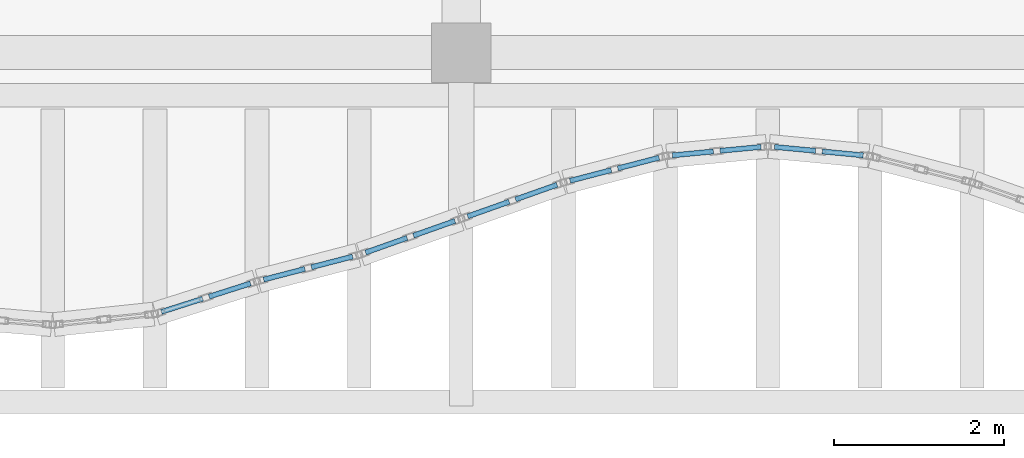
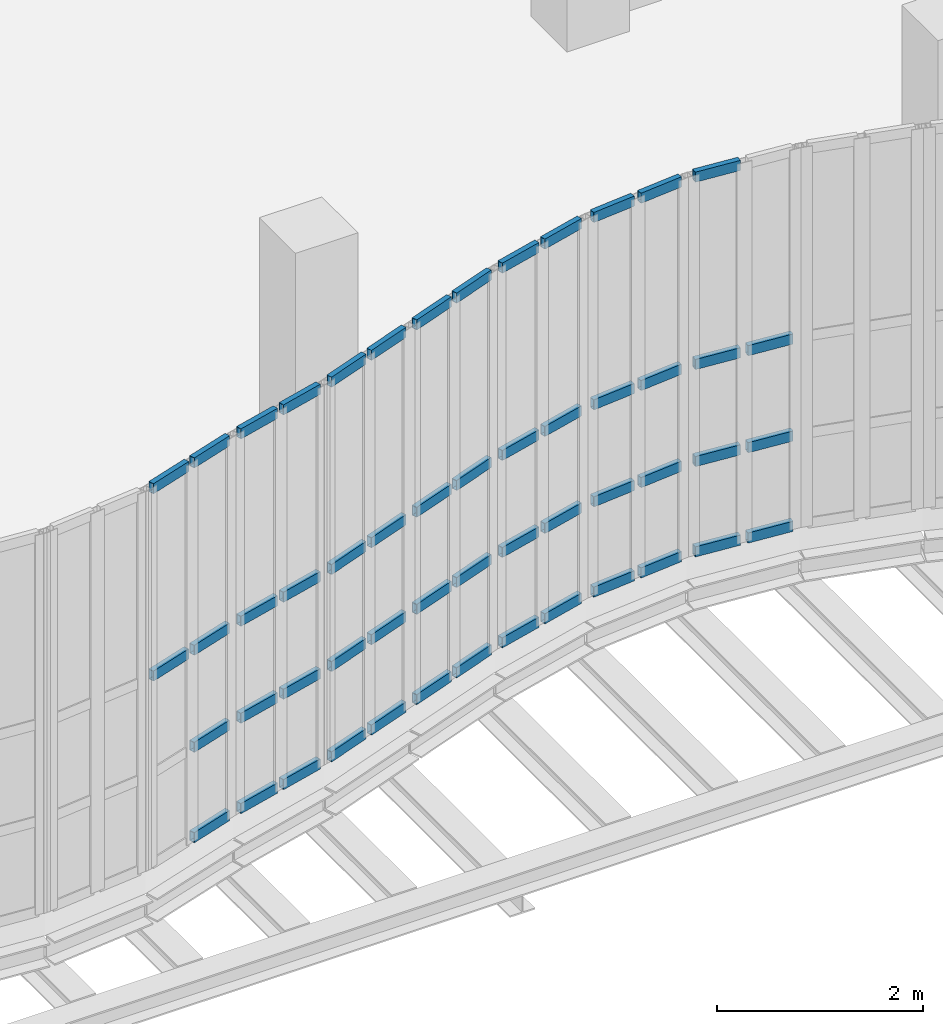
# One storey, part 60 of 108: 53 members, 7 elements without a shape of their own.
"""IFC4 building model written with IfcOpenShell, lengths in metres."""

from ifc_helpers import new_model, si_unit, direction, frame, origin, origin_2d, place, context, subcontext, project, spatial, hollow_rectangle, extrude, material, layer, layer_set, material_profile, profile_set, type_object, element, aggregate, save


model = new_model("IFC4")

# Units and contexts
model_context = context("Model", 3, precision=1e-05, world=origin(), true_north=direction((0.0, 1.0)))
body_context = subcontext(model_context, "Body", "Model", "MODEL_VIEW")
ifc_project = project(units=[si_unit("LENGTHUNIT", "METRE"), si_unit("AREAUNIT", "SQUARE_METRE"), si_unit("VOLUMEUNIT", "CUBIC_METRE"), si_unit("PLANEANGLEUNIT", "RADIAN"), si_unit("MASSUNIT", "GRAM", prefix="KILO"), si_unit("THERMODYNAMICTEMPERATUREUNIT", "KELVIN"), si_unit("POWERUNIT", "WATT")], contexts=[model_context])

# Site, building, storey
site_placement = place(None, origin())
site = spatial("IfcSite", under=ifc_project, at=site_placement, CompositionType="ELEMENT")
building_placement = place(site_placement, origin())
building = spatial("IfcBuilding", under=site, at=building_placement, Name="Kaldorven Railside Theatre", CompositionType="ELEMENT")
storey_placement = place(building_placement, frame((0.0, 0.0, 5.39990234375)))
storey = spatial("IfcBuildingStorey", under=building, at=storey_placement, Name="L01", CompositionType="ELEMENT", Elevation=5.39990234375)

# Curtain wall, members
ifc_material_1 = material(Name="Low-E laminated solar-control glass", Category="glass")
ifc_layer_1 = layer(ifc_material_1, 0.159912109375, Name="Low-E laminated solar-control glass")
ifc_layer_set_1 = layer_set([ifc_layer_1], Name="Low-E laminated solar-control glass")
curtain_wall_type_1 = type_object("IfcCurtainWallType", Name="CWT-04", PredefinedType="USERDEFINED", material=ifc_layer_set_1)
curtain_wall_1_placement = place(storey_placement, origin())
curtain_wall_1 = element("IfcCurtainWall", 1, at=curtain_wall_1_placement, inside=storey, type_object=curtain_wall_type_1, Name="Sinusoidal Fluted Curtain Wall CW-L01-S46", ObjectType="FLUTED GLAZING", PredefinedType="USERDEFINED")
ifc_material_2 = material(Name="Anodised bronze aluminium", Category="aluminium")
ifc_material_profile = material_profile(ifc_material_2, hollow_rectangle(XDim=0.06005859375, YDim=0.1201171875, WallThickness=0.0048828125, at=origin_2d()), Name="RHS 120x60x5")
ifc_profile_set = profile_set([ifc_material_profile], Name="Anodised bronze aluminium")
member_type = type_object("IfcMemberType", Name="CWT-120", PredefinedType="USERDEFINED", material=ifc_profile_set)
member_1_placement = place(storey_placement, frame((90.876220703125, 16.154541015625, 2.25), z_axis=(0.952490847755, 0.304567209237, 0.0), x_axis=(-0.304567209237, 0.952490847755, 0.0)))
member_1 = element("IfcMember", 2, at=member_1_placement, type_object=member_type, Name="CW-L01-S46 transom 1.3", ObjectType="TRANSOM", PredefinedType="USERDEFINED", context=body_context, shape_type="SweptSolid", body=[
    extrude(hollow_rectangle(XDim=0.06005859375, YDim=0.1201171875, WallThickness=0.0048828125, at=origin_2d()), origin(), (0.0, 0.0, 1.0), 0.509765625),
])
member_2_placement = place(storey_placement, frame((90.876220703125, 16.154541015625, 4.47021484375), z_axis=(0.952490847755, 0.304567209237, 0.0), x_axis=(-0.304567209237, 0.952490847755, 0.0)))
member_2 = element("IfcMember", 3, at=member_2_placement, type_object=member_type, Name="CW-L01-S46 transom 1.4", ObjectType="TRANSOM", PredefinedType="USERDEFINED", context=body_context, shape_type="SweptSolid", body=[
    extrude(hollow_rectangle(XDim=0.06005859375, YDim=0.1201171875, WallThickness=0.0048828125, at=origin_2d()), origin(), (0.0, 0.0, 1.0), 0.509765625),
])
member_3_placement = place(storey_placement, frame((91.43798828125, 16.334228515625, 0.030029296875), z_axis=(0.952535238788, 0.304428347673, 0.0), x_axis=(-0.304428347673, 0.952535238788, 0.0)))
member_3 = element("IfcMember", 4, at=member_3_placement, type_object=member_type, Name="CW-L01-S46 transom 2.1", ObjectType="TRANSOM", PredefinedType="USERDEFINED", context=body_context, shape_type="SweptSolid", body=[
    extrude(hollow_rectangle(XDim=0.06005859375, YDim=0.1201171875, WallThickness=0.0048828125, at=origin_2d()), origin(), (0.0, 0.0, 1.0), 0.510009765625),
])
member_4_placement = place(storey_placement, frame((91.43798828125, 16.334228515625, 1.10009765625), z_axis=(0.952535238788, 0.304428347673, 0.0), x_axis=(-0.304428347673, 0.952535238788, 0.0)))
member_4 = element("IfcMember", 5, at=member_4_placement, type_object=member_type, Name="CW-L01-S46 transom 2.2", ObjectType="TRANSOM", PredefinedType="USERDEFINED", context=body_context, shape_type="SweptSolid", body=[
    extrude(hollow_rectangle(XDim=0.06005859375, YDim=0.1201171875, WallThickness=0.0048828125, at=origin_2d()), origin(), (0.0, 0.0, 1.0), 0.510009765625),
])
member_5_placement = place(storey_placement, frame((91.43798828125, 16.334228515625, 2.25), z_axis=(0.952535238788, 0.304428347673, 0.0), x_axis=(-0.304428347673, 0.952535238788, 0.0)))
member_5 = element("IfcMember", 6, at=member_5_placement, type_object=member_type, Name="CW-L01-S46 transom 2.3", ObjectType="TRANSOM", PredefinedType="USERDEFINED", context=body_context, shape_type="SweptSolid", body=[
    extrude(hollow_rectangle(XDim=0.06005859375, YDim=0.1201171875, WallThickness=0.0048828125, at=origin_2d()), origin(), (0.0, 0.0, 1.0), 0.510009765625),
])
member_6_placement = place(storey_placement, frame((91.43798828125, 16.334228515625, 4.47021484375), z_axis=(0.952535238788, 0.304428347673, 0.0), x_axis=(-0.304428347673, 0.952535238788, 0.0)))
member_6 = element("IfcMember", 7, at=member_6_placement, type_object=member_type, Name="CW-L01-S46 transom 2.4", ObjectType="TRANSOM", PredefinedType="USERDEFINED", context=body_context, shape_type="SweptSolid", body=[
    extrude(hollow_rectangle(XDim=0.06005859375, YDim=0.1201171875, WallThickness=0.0048828125, at=origin_2d()), origin(), (0.0, 0.0, 1.0), 0.510009765625),
])
aggregate(curtain_wall_1, [member_1, member_2, member_3, member_4, member_5, member_6])

ifc_layer_2 = layer(ifc_material_1, 0.159912109375, Name="Low-E laminated solar-control glass")
ifc_layer_set_2 = layer_set([ifc_layer_2], Name="Low-E laminated solar-control glass")
curtain_wall_type_2 = type_object("IfcCurtainWallType", Name="CWT-02", PredefinedType="USERDEFINED", material=ifc_layer_set_2)
curtain_wall_2_placement = place(storey_placement, origin())
curtain_wall_2 = element("IfcCurtainWall", 8, at=curtain_wall_2_placement, inside=storey, type_object=curtain_wall_type_2, Name="Sinusoidal Fluted Curtain Wall CW-L01-S47", ObjectType="FLUTED GLAZING", PredefinedType="USERDEFINED")
member_7_placement = place(storey_placement, frame((92.077392578125, 16.533935546875, 0.030029296875), z_axis=(0.967979318949, 0.251029954561, 0.0), x_axis=(-0.251029954561, 0.967979318949, 0.0)))
member_7 = element("IfcMember", 9, at=member_7_placement, type_object=member_type, Name="CW-L01-S47 transom 1.1", ObjectType="TRANSOM", PredefinedType="USERDEFINED", context=body_context, shape_type="SweptSolid", body=[
    extrude(hollow_rectangle(XDim=0.06005859375, YDim=0.1201171875, WallThickness=0.0048828125, at=origin_2d()), origin(), (0.0, 0.0, 1.0), 0.5),
])
member_8_placement = place(storey_placement, frame((92.077392578125, 16.533935546875, 1.10009765625), z_axis=(0.967979318949, 0.251029954561, 0.0), x_axis=(-0.251029954561, 0.967979318949, 0.0)))
member_8 = element("IfcMember", 10, at=member_8_placement, type_object=member_type, Name="CW-L01-S47 transom 1.2", ObjectType="TRANSOM", PredefinedType="USERDEFINED", context=body_context, shape_type="SweptSolid", body=[
    extrude(hollow_rectangle(XDim=0.06005859375, YDim=0.1201171875, WallThickness=0.0048828125, at=origin_2d()), origin(), (0.0, 0.0, 1.0), 0.5),
])
member_9_placement = place(storey_placement, frame((92.077392578125, 16.533935546875, 2.25), z_axis=(0.967979318949, 0.251029954561, 0.0), x_axis=(-0.251029954561, 0.967979318949, 0.0)))
member_9 = element("IfcMember", 11, at=member_9_placement, type_object=member_type, Name="CW-L01-S47 transom 1.3", ObjectType="TRANSOM", PredefinedType="USERDEFINED", context=body_context, shape_type="SweptSolid", body=[
    extrude(hollow_rectangle(XDim=0.06005859375, YDim=0.1201171875, WallThickness=0.0048828125, at=origin_2d()), origin(), (0.0, 0.0, 1.0), 0.5),
])
member_10_placement = place(storey_placement, frame((92.077392578125, 16.533935546875, 4.47021484375), z_axis=(0.967979318949, 0.251029954561, 0.0), x_axis=(-0.251029954561, 0.967979318949, 0.0)))
member_10 = element("IfcMember", 12, at=member_10_placement, type_object=member_type, Name="CW-L01-S47 transom 1.4", ObjectType="TRANSOM", PredefinedType="USERDEFINED", context=body_context, shape_type="SweptSolid", body=[
    extrude(hollow_rectangle(XDim=0.06005859375, YDim=0.1201171875, WallThickness=0.0048828125, at=origin_2d()), origin(), (0.0, 0.0, 1.0), 0.5),
])
member_11_placement = place(storey_placement, frame((92.638671875, 16.679443359375, 0.030029296875), z_axis=(0.967979318949, 0.251029954561, 0.0), x_axis=(-0.251029954561, 0.967979318949, 0.0)))
member_11 = element("IfcMember", 13, at=member_11_placement, type_object=member_type, Name="CW-L01-S47 transom 2.1", ObjectType="TRANSOM", PredefinedType="USERDEFINED", context=body_context, shape_type="SweptSolid", body=[
    extrude(hollow_rectangle(XDim=0.06005859375, YDim=0.1201171875, WallThickness=0.0048828125, at=origin_2d()), origin(), (0.0, 0.0, 1.0), 0.5),
])
member_12_placement = place(storey_placement, frame((92.638671875, 16.679443359375, 1.10009765625), z_axis=(0.967979318949, 0.251029954561, 0.0), x_axis=(-0.251029954561, 0.967979318949, 0.0)))
member_12 = element("IfcMember", 14, at=member_12_placement, type_object=member_type, Name="CW-L01-S47 transom 2.2", ObjectType="TRANSOM", PredefinedType="USERDEFINED", context=body_context, shape_type="SweptSolid", body=[
    extrude(hollow_rectangle(XDim=0.06005859375, YDim=0.1201171875, WallThickness=0.0048828125, at=origin_2d()), origin(), (0.0, 0.0, 1.0), 0.5),
])
member_13_placement = place(storey_placement, frame((92.638671875, 16.679443359375, 2.25), z_axis=(0.967979318949, 0.251029954561, 0.0), x_axis=(-0.251029954561, 0.967979318949, 0.0)))
member_13 = element("IfcMember", 15, at=member_13_placement, type_object=member_type, Name="CW-L01-S47 transom 2.3", ObjectType="TRANSOM", PredefinedType="USERDEFINED", context=body_context, shape_type="SweptSolid", body=[
    extrude(hollow_rectangle(XDim=0.06005859375, YDim=0.1201171875, WallThickness=0.0048828125, at=origin_2d()), origin(), (0.0, 0.0, 1.0), 0.5),
])
member_14_placement = place(storey_placement, frame((92.638671875, 16.679443359375, 4.47021484375), z_axis=(0.967979318949, 0.251029954561, 0.0), x_axis=(-0.251029954561, 0.967979318949, 0.0)))
member_14 = element("IfcMember", 16, at=member_14_placement, type_object=member_type, Name="CW-L01-S47 transom 2.4", ObjectType="TRANSOM", PredefinedType="USERDEFINED", context=body_context, shape_type="SweptSolid", body=[
    extrude(hollow_rectangle(XDim=0.06005859375, YDim=0.1201171875, WallThickness=0.0048828125, at=origin_2d()), origin(), (0.0, 0.0, 1.0), 0.5),
])
aggregate(curtain_wall_2, [member_7, member_8, member_9, member_10, member_11, member_12, member_13, member_14])

ifc_layer_3 = layer(ifc_material_1, 0.159912109375, Name="Low-E laminated solar-control glass")
ifc_layer_set_3 = layer_set([ifc_layer_3], Name="Low-E laminated solar-control glass")
curtain_wall_type_3 = type_object("IfcCurtainWallType", Name="CWT-01", PredefinedType="USERDEFINED", material=ifc_layer_set_3)
curtain_wall_3_placement = place(storey_placement, origin())
curtain_wall_3 = element("IfcCurtainWall", 17, at=curtain_wall_3_placement, inside=storey, type_object=curtain_wall_type_3, Name="Sinusoidal Fluted Curtain Wall CW-L01-S48", ObjectType="FLUTED GLAZING", PredefinedType="USERDEFINED")
member_15_placement = place(storey_placement, frame((93.275390625, 16.851806640625, 0.030029296875), z_axis=(0.942658214948, 0.333759628763, 0.0), x_axis=(-0.333759628763, 0.942658214948, 0.0)))
member_15 = element("IfcMember", 18, at=member_15_placement, type_object=member_type, Name="CW-L01-S48 transom 1.1", ObjectType="TRANSOM", PredefinedType="USERDEFINED", context=body_context, shape_type="SweptSolid", body=[
    extrude(hollow_rectangle(XDim=0.06005859375, YDim=0.1201171875, WallThickness=0.0048828125, at=origin_2d()), origin(), (0.0, 0.0, 1.0), 0.516357421875),
])
member_16_placement = place(storey_placement, frame((93.275390625, 16.851806640625, 1.10009765625), z_axis=(0.942658214948, 0.333759628763, 0.0), x_axis=(-0.333759628763, 0.942658214948, 0.0)))
member_16 = element("IfcMember", 19, at=member_16_placement, type_object=member_type, Name="CW-L01-S48 transom 1.2", ObjectType="TRANSOM", PredefinedType="USERDEFINED", context=body_context, shape_type="SweptSolid", body=[
    extrude(hollow_rectangle(XDim=0.06005859375, YDim=0.1201171875, WallThickness=0.0048828125, at=origin_2d()), origin(), (0.0, 0.0, 1.0), 0.516357421875),
])
member_17_placement = place(storey_placement, frame((93.275390625, 16.851806640625, 2.25), z_axis=(0.942658214948, 0.333759628763, 0.0), x_axis=(-0.333759628763, 0.942658214948, 0.0)))
member_17 = element("IfcMember", 20, at=member_17_placement, type_object=member_type, Name="CW-L01-S48 transom 1.3", ObjectType="TRANSOM", PredefinedType="USERDEFINED", context=body_context, shape_type="SweptSolid", body=[
    extrude(hollow_rectangle(XDim=0.06005859375, YDim=0.1201171875, WallThickness=0.0048828125, at=origin_2d()), origin(), (0.0, 0.0, 1.0), 0.516357421875),
])
member_18_placement = place(storey_placement, frame((93.275390625, 16.851806640625, 4.47021484375), z_axis=(0.942658214948, 0.333759628763, 0.0), x_axis=(-0.333759628763, 0.942658214948, 0.0)))
member_18 = element("IfcMember", 21, at=member_18_placement, type_object=member_type, Name="CW-L01-S48 transom 1.4", ObjectType="TRANSOM", PredefinedType="USERDEFINED", context=body_context, shape_type="SweptSolid", body=[
    extrude(hollow_rectangle(XDim=0.06005859375, YDim=0.1201171875, WallThickness=0.0048828125, at=origin_2d()), origin(), (0.0, 0.0, 1.0), 0.516357421875),
])
member_19_placement = place(storey_placement, frame((93.837646484375, 17.05078125, 0.030029296875), z_axis=(0.94256215944, 0.334030800363, 0.0), x_axis=(-0.334030800363, 0.94256215944, 0.0)))
member_19 = element("IfcMember", 22, at=member_19_placement, type_object=member_type, Name="CW-L01-S48 transom 2.1", ObjectType="TRANSOM", PredefinedType="USERDEFINED", context=body_context, shape_type="SweptSolid", body=[
    extrude(hollow_rectangle(XDim=0.06005859375, YDim=0.1201171875, WallThickness=0.0048828125, at=origin_2d()), origin(), (0.0, 0.0, 1.0), 0.516845703125),
])
member_20_placement = place(storey_placement, frame((93.837646484375, 17.05078125, 1.10009765625), z_axis=(0.94256215944, 0.334030800363, 0.0), x_axis=(-0.334030800363, 0.94256215944, 0.0)))
member_20 = element("IfcMember", 23, at=member_20_placement, type_object=member_type, Name="CW-L01-S48 transom 2.2", ObjectType="TRANSOM", PredefinedType="USERDEFINED", context=body_context, shape_type="SweptSolid", body=[
    extrude(hollow_rectangle(XDim=0.06005859375, YDim=0.1201171875, WallThickness=0.0048828125, at=origin_2d()), origin(), (0.0, 0.0, 1.0), 0.516845703125),
])
member_21_placement = place(storey_placement, frame((93.837646484375, 17.05078125, 2.25), z_axis=(0.94256215944, 0.334030800363, 0.0), x_axis=(-0.334030800363, 0.94256215944, 0.0)))
member_21 = element("IfcMember", 24, at=member_21_placement, type_object=member_type, Name="CW-L01-S48 transom 2.3", ObjectType="TRANSOM", PredefinedType="USERDEFINED", context=body_context, shape_type="SweptSolid", body=[
    extrude(hollow_rectangle(XDim=0.06005859375, YDim=0.1201171875, WallThickness=0.0048828125, at=origin_2d()), origin(), (0.0, 0.0, 1.0), 0.516845703125),
])
member_22_placement = place(storey_placement, frame((93.837646484375, 17.05078125, 4.47021484375), z_axis=(0.94256215944, 0.334030800363, 0.0), x_axis=(-0.334030800363, 0.94256215944, 0.0)))
member_22 = element("IfcMember", 25, at=member_22_placement, type_object=member_type, Name="CW-L01-S48 transom 2.4", ObjectType="TRANSOM", PredefinedType="USERDEFINED", context=body_context, shape_type="SweptSolid", body=[
    extrude(hollow_rectangle(XDim=0.06005859375, YDim=0.1201171875, WallThickness=0.0048828125, at=origin_2d()), origin(), (0.0, 0.0, 1.0), 0.516845703125),
])
aggregate(curtain_wall_3, [member_15, member_16, member_17, member_18, member_19, member_20, member_21, member_22])

curtain_wall_4_placement = place(storey_placement, origin())
curtain_wall_4 = element("IfcCurtainWall", 26, at=curtain_wall_4_placement, inside=storey, type_object=curtain_wall_type_3, Name="Sinusoidal Fluted Curtain Wall CW-L01-S49", ObjectType="FLUTED GLAZING", PredefinedType="USERDEFINED")
member_23_placement = place(storey_placement, frame((94.475341796875, 17.276611328125, 0.030029296875), z_axis=(0.94256215944, 0.334030800363, 0.0), x_axis=(-0.334030800363, 0.94256215944, 0.0)))
member_23 = element("IfcMember", 27, at=member_23_placement, type_object=member_type, Name="CW-L01-S49 transom 1.1", ObjectType="TRANSOM", PredefinedType="USERDEFINED", context=body_context, shape_type="SweptSolid", body=[
    extrude(hollow_rectangle(XDim=0.06005859375, YDim=0.1201171875, WallThickness=0.0048828125, at=origin_2d()), origin(), (0.0, 0.0, 1.0), 0.516845703125),
])
member_24_placement = place(storey_placement, frame((94.475341796875, 17.276611328125, 1.10009765625), z_axis=(0.94256215944, 0.334030800363, 0.0), x_axis=(-0.334030800363, 0.94256215944, 0.0)))
member_24 = element("IfcMember", 28, at=member_24_placement, type_object=member_type, Name="CW-L01-S49 transom 1.2", ObjectType="TRANSOM", PredefinedType="USERDEFINED", context=body_context, shape_type="SweptSolid", body=[
    extrude(hollow_rectangle(XDim=0.06005859375, YDim=0.1201171875, WallThickness=0.0048828125, at=origin_2d()), origin(), (0.0, 0.0, 1.0), 0.516845703125),
])
member_25_placement = place(storey_placement, frame((94.475341796875, 17.276611328125, 2.25), z_axis=(0.94256215944, 0.334030800363, 0.0), x_axis=(-0.334030800363, 0.94256215944, 0.0)))
member_25 = element("IfcMember", 29, at=member_25_placement, type_object=member_type, Name="CW-L01-S49 transom 1.3", ObjectType="TRANSOM", PredefinedType="USERDEFINED", context=body_context, shape_type="SweptSolid", body=[
    extrude(hollow_rectangle(XDim=0.06005859375, YDim=0.1201171875, WallThickness=0.0048828125, at=origin_2d()), origin(), (0.0, 0.0, 1.0), 0.516845703125),
])
member_26_placement = place(storey_placement, frame((94.475341796875, 17.276611328125, 4.47021484375), z_axis=(0.94256215944, 0.334030800363, 0.0), x_axis=(-0.334030800363, 0.94256215944, 0.0)))
member_26 = element("IfcMember", 30, at=member_26_placement, type_object=member_type, Name="CW-L01-S49 transom 1.4", ObjectType="TRANSOM", PredefinedType="USERDEFINED", context=body_context, shape_type="SweptSolid", body=[
    extrude(hollow_rectangle(XDim=0.06005859375, YDim=0.1201171875, WallThickness=0.0048828125, at=origin_2d()), origin(), (0.0, 0.0, 1.0), 0.516845703125),
])
member_27_placement = place(storey_placement, frame((95.03759765625, 17.475830078125, 0.030029296875), z_axis=(0.942710841688, 0.333610954502, 0.0), x_axis=(-0.333610954502, 0.942710841688, 0.0)))
member_27 = element("IfcMember", 31, at=member_27_placement, type_object=member_type, Name="CW-L01-S49 transom 2.1", ObjectType="TRANSOM", PredefinedType="USERDEFINED", context=body_context, shape_type="SweptSolid", body=[
    extrude(hollow_rectangle(XDim=0.06005859375, YDim=0.1201171875, WallThickness=0.0048828125, at=origin_2d()), origin(), (0.0, 0.0, 1.0), 0.5166015625),
])
member_28_placement = place(storey_placement, frame((95.03759765625, 17.475830078125, 1.10009765625), z_axis=(0.942710841688, 0.333610954502, 0.0), x_axis=(-0.333610954502, 0.942710841688, 0.0)))
member_28 = element("IfcMember", 32, at=member_28_placement, type_object=member_type, Name="CW-L01-S49 transom 2.2", ObjectType="TRANSOM", PredefinedType="USERDEFINED", context=body_context, shape_type="SweptSolid", body=[
    extrude(hollow_rectangle(XDim=0.06005859375, YDim=0.1201171875, WallThickness=0.0048828125, at=origin_2d()), origin(), (0.0, 0.0, 1.0), 0.5166015625),
])
member_29_placement = place(storey_placement, frame((95.03759765625, 17.475830078125, 2.25), z_axis=(0.942710841688, 0.333610954502, 0.0), x_axis=(-0.333610954502, 0.942710841688, 0.0)))
member_29 = element("IfcMember", 33, at=member_29_placement, type_object=member_type, Name="CW-L01-S49 transom 2.3", ObjectType="TRANSOM", PredefinedType="USERDEFINED", context=body_context, shape_type="SweptSolid", body=[
    extrude(hollow_rectangle(XDim=0.06005859375, YDim=0.1201171875, WallThickness=0.0048828125, at=origin_2d()), origin(), (0.0, 0.0, 1.0), 0.5166015625),
])
member_30_placement = place(storey_placement, frame((95.03759765625, 17.475830078125, 4.47021484375), z_axis=(0.942710841688, 0.333610954502, 0.0), x_axis=(-0.333610954502, 0.942710841688, 0.0)))
member_30 = element("IfcMember", 34, at=member_30_placement, type_object=member_type, Name="CW-L01-S49 transom 2.4", ObjectType="TRANSOM", PredefinedType="USERDEFINED", context=body_context, shape_type="SweptSolid", body=[
    extrude(hollow_rectangle(XDim=0.06005859375, YDim=0.1201171875, WallThickness=0.0048828125, at=origin_2d()), origin(), (0.0, 0.0, 1.0), 0.5166015625),
])
aggregate(curtain_wall_4, [member_23, member_24, member_25, member_26, member_27, member_28, member_29, member_30])

curtain_wall_5_placement = place(storey_placement, origin())
curtain_wall_5 = element("IfcCurtainWall", 35, at=curtain_wall_5_placement, inside=storey, type_object=curtain_wall_type_2, Name="Sinusoidal Fluted Curtain Wall CW-L01-S50", ObjectType="FLUTED GLAZING", PredefinedType="USERDEFINED")
member_31_placement = place(storey_placement, frame((95.677490234375, 17.695068359375, 0.030029296875), z_axis=(0.967979318949, 0.251029954561, 0.0), x_axis=(-0.251029954561, 0.967979318949, 0.0)))
member_31 = element("IfcMember", 36, at=member_31_placement, type_object=member_type, Name="CW-L01-S50 transom 1.1", ObjectType="TRANSOM", PredefinedType="USERDEFINED", context=body_context, shape_type="SweptSolid", body=[
    extrude(hollow_rectangle(XDim=0.06005859375, YDim=0.1201171875, WallThickness=0.0048828125, at=origin_2d()), origin(), (0.0, 0.0, 1.0), 0.5),
])
member_32_placement = place(storey_placement, frame((95.677490234375, 17.695068359375, 1.10009765625), z_axis=(0.967979318949, 0.251029954561, 0.0), x_axis=(-0.251029954561, 0.967979318949, 0.0)))
member_32 = element("IfcMember", 37, at=member_32_placement, type_object=member_type, Name="CW-L01-S50 transom 1.2", ObjectType="TRANSOM", PredefinedType="USERDEFINED", context=body_context, shape_type="SweptSolid", body=[
    extrude(hollow_rectangle(XDim=0.06005859375, YDim=0.1201171875, WallThickness=0.0048828125, at=origin_2d()), origin(), (0.0, 0.0, 1.0), 0.5),
])
member_33_placement = place(storey_placement, frame((95.677490234375, 17.695068359375, 2.25), z_axis=(0.967979318949, 0.251029954561, 0.0), x_axis=(-0.251029954561, 0.967979318949, 0.0)))
member_33 = element("IfcMember", 38, at=member_33_placement, type_object=member_type, Name="CW-L01-S50 transom 1.3", ObjectType="TRANSOM", PredefinedType="USERDEFINED", context=body_context, shape_type="SweptSolid", body=[
    extrude(hollow_rectangle(XDim=0.06005859375, YDim=0.1201171875, WallThickness=0.0048828125, at=origin_2d()), origin(), (0.0, 0.0, 1.0), 0.5),
])
member_34_placement = place(storey_placement, frame((95.677490234375, 17.695068359375, 4.47021484375), z_axis=(0.967979318949, 0.251029954561, 0.0), x_axis=(-0.251029954561, 0.967979318949, 0.0)))
member_34 = element("IfcMember", 39, at=member_34_placement, type_object=member_type, Name="CW-L01-S50 transom 1.4", ObjectType="TRANSOM", PredefinedType="USERDEFINED", context=body_context, shape_type="SweptSolid", body=[
    extrude(hollow_rectangle(XDim=0.06005859375, YDim=0.1201171875, WallThickness=0.0048828125, at=origin_2d()), origin(), (0.0, 0.0, 1.0), 0.5),
])
member_35_placement = place(storey_placement, frame((96.23876953125, 17.840576171875, 0.030029296875), z_axis=(0.967979318949, 0.251029954561, 0.0), x_axis=(-0.251029954561, 0.967979318949, 0.0)))
member_35 = element("IfcMember", 40, at=member_35_placement, type_object=member_type, Name="CW-L01-S50 transom 2.1", ObjectType="TRANSOM", PredefinedType="USERDEFINED", context=body_context, shape_type="SweptSolid", body=[
    extrude(hollow_rectangle(XDim=0.06005859375, YDim=0.1201171875, WallThickness=0.0048828125, at=origin_2d()), origin(), (0.0, 0.0, 1.0), 0.5),
])
member_36_placement = place(storey_placement, frame((96.23876953125, 17.840576171875, 1.10009765625), z_axis=(0.967979318949, 0.251029954561, 0.0), x_axis=(-0.251029954561, 0.967979318949, 0.0)))
member_36 = element("IfcMember", 41, at=member_36_placement, type_object=member_type, Name="CW-L01-S50 transom 2.2", ObjectType="TRANSOM", PredefinedType="USERDEFINED", context=body_context, shape_type="SweptSolid", body=[
    extrude(hollow_rectangle(XDim=0.06005859375, YDim=0.1201171875, WallThickness=0.0048828125, at=origin_2d()), origin(), (0.0, 0.0, 1.0), 0.5),
])
member_37_placement = place(storey_placement, frame((96.23876953125, 17.840576171875, 2.25), z_axis=(0.967979318949, 0.251029954561, 0.0), x_axis=(-0.251029954561, 0.967979318949, 0.0)))
member_37 = element("IfcMember", 42, at=member_37_placement, type_object=member_type, Name="CW-L01-S50 transom 2.3", ObjectType="TRANSOM", PredefinedType="USERDEFINED", context=body_context, shape_type="SweptSolid", body=[
    extrude(hollow_rectangle(XDim=0.06005859375, YDim=0.1201171875, WallThickness=0.0048828125, at=origin_2d()), origin(), (0.0, 0.0, 1.0), 0.5),
])
member_38_placement = place(storey_placement, frame((96.23876953125, 17.840576171875, 4.47021484375), z_axis=(0.967979318949, 0.251029954561, 0.0), x_axis=(-0.251029954561, 0.967979318949, 0.0)))
member_38 = element("IfcMember", 43, at=member_38_placement, type_object=member_type, Name="CW-L01-S50 transom 2.4", ObjectType="TRANSOM", PredefinedType="USERDEFINED", context=body_context, shape_type="SweptSolid", body=[
    extrude(hollow_rectangle(XDim=0.06005859375, YDim=0.1201171875, WallThickness=0.0048828125, at=origin_2d()), origin(), (0.0, 0.0, 1.0), 0.5),
])
aggregate(curtain_wall_5, [member_31, member_32, member_33, member_34, member_35, member_36, member_37, member_38])

ifc_layer_4 = layer(ifc_material_1, 0.159912109375, Name="Low-E laminated solar-control glass")
ifc_layer_set_4 = layer_set([ifc_layer_4], Name="Low-E laminated solar-control glass")
curtain_wall_type_4 = type_object("IfcCurtainWallType", Name="CWT-03", PredefinedType="USERDEFINED", material=ifc_layer_set_4)
curtain_wall_6_placement = place(storey_placement, origin())
curtain_wall_6 = element("IfcCurtainWall", 44, at=curtain_wall_6_placement, inside=storey, type_object=curtain_wall_type_4, Name="Sinusoidal Fluted Curtain Wall CW-L01-S51", ObjectType="FLUTED GLAZING", PredefinedType="USERDEFINED")
member_39_placement = place(storey_placement, frame((96.879638671875, 17.99365234375, 0.030029296875), z_axis=(0.995515910823, 0.094594245591, 0.0), x_axis=(-0.094594245591, 0.995515910823, 0.0)))
member_39 = element("IfcMember", 45, at=member_39_placement, type_object=member_type, Name="CW-L01-S51 transom 1.1", ObjectType="TRANSOM", PredefinedType="USERDEFINED", context=body_context, shape_type="SweptSolid", body=[
    extrude(hollow_rectangle(XDim=0.06005859375, YDim=0.1201171875, WallThickness=0.0048828125, at=origin_2d()), origin(), (0.0, 0.0, 1.0), 0.482666015625),
])
member_40_placement = place(storey_placement, frame((96.879638671875, 17.99365234375, 1.10009765625), z_axis=(0.995515910823, 0.094594245591, 0.0), x_axis=(-0.094594245591, 0.995515910823, 0.0)))
member_40 = element("IfcMember", 46, at=member_40_placement, type_object=member_type, Name="CW-L01-S51 transom 1.2", ObjectType="TRANSOM", PredefinedType="USERDEFINED", context=body_context, shape_type="SweptSolid", body=[
    extrude(hollow_rectangle(XDim=0.06005859375, YDim=0.1201171875, WallThickness=0.0048828125, at=origin_2d()), origin(), (0.0, 0.0, 1.0), 0.482666015625),
])
member_41_placement = place(storey_placement, frame((96.879638671875, 17.99365234375, 2.25), z_axis=(0.995515910823, 0.094594245591, 0.0), x_axis=(-0.094594245591, 0.995515910823, 0.0)))
member_41 = element("IfcMember", 47, at=member_41_placement, type_object=member_type, Name="CW-L01-S51 transom 1.3", ObjectType="TRANSOM", PredefinedType="USERDEFINED", context=body_context, shape_type="SweptSolid", body=[
    extrude(hollow_rectangle(XDim=0.06005859375, YDim=0.1201171875, WallThickness=0.0048828125, at=origin_2d()), origin(), (0.0, 0.0, 1.0), 0.482666015625),
])
member_42_placement = place(storey_placement, frame((96.879638671875, 17.99365234375, 4.47021484375), z_axis=(0.995515910823, 0.094594245591, 0.0), x_axis=(-0.094594245591, 0.995515910823, 0.0)))
member_42 = element("IfcMember", 48, at=member_42_placement, type_object=member_type, Name="CW-L01-S51 transom 1.4", ObjectType="TRANSOM", PredefinedType="USERDEFINED", context=body_context, shape_type="SweptSolid", body=[
    extrude(hollow_rectangle(XDim=0.06005859375, YDim=0.1201171875, WallThickness=0.0048828125, at=origin_2d()), origin(), (0.0, 0.0, 1.0), 0.482666015625),
])
member_43_placement = place(storey_placement, frame((97.43994140625, 18.046875, 0.030029296875), z_axis=(0.995515910823, 0.094594245591, 0.0), x_axis=(-0.094594245591, 0.995515910823, 0.0)))
member_43 = element("IfcMember", 49, at=member_43_placement, type_object=member_type, Name="CW-L01-S51 transom 2.1", ObjectType="TRANSOM", PredefinedType="USERDEFINED", context=body_context, shape_type="SweptSolid", body=[
    extrude(hollow_rectangle(XDim=0.06005859375, YDim=0.1201171875, WallThickness=0.0048828125, at=origin_2d()), origin(), (0.0, 0.0, 1.0), 0.482666015625),
])
member_44_placement = place(storey_placement, frame((97.43994140625, 18.046875, 1.10009765625), z_axis=(0.995515910823, 0.094594245591, 0.0), x_axis=(-0.094594245591, 0.995515910823, 0.0)))
member_44 = element("IfcMember", 50, at=member_44_placement, type_object=member_type, Name="CW-L01-S51 transom 2.2", ObjectType="TRANSOM", PredefinedType="USERDEFINED", context=body_context, shape_type="SweptSolid", body=[
    extrude(hollow_rectangle(XDim=0.06005859375, YDim=0.1201171875, WallThickness=0.0048828125, at=origin_2d()), origin(), (0.0, 0.0, 1.0), 0.482666015625),
])
member_45_placement = place(storey_placement, frame((97.43994140625, 18.046875, 2.25), z_axis=(0.995515910823, 0.094594245591, 0.0), x_axis=(-0.094594245591, 0.995515910823, 0.0)))
member_45 = element("IfcMember", 51, at=member_45_placement, type_object=member_type, Name="CW-L01-S51 transom 2.3", ObjectType="TRANSOM", PredefinedType="USERDEFINED", context=body_context, shape_type="SweptSolid", body=[
    extrude(hollow_rectangle(XDim=0.06005859375, YDim=0.1201171875, WallThickness=0.0048828125, at=origin_2d()), origin(), (0.0, 0.0, 1.0), 0.482666015625),
])
member_46_placement = place(storey_placement, frame((97.43994140625, 18.046875, 4.47021484375), z_axis=(0.995515910823, 0.094594245591, 0.0), x_axis=(-0.094594245591, 0.995515910823, 0.0)))
member_46 = element("IfcMember", 52, at=member_46_placement, type_object=member_type, Name="CW-L01-S51 transom 2.4", ObjectType="TRANSOM", PredefinedType="USERDEFINED", context=body_context, shape_type="SweptSolid", body=[
    extrude(hollow_rectangle(XDim=0.06005859375, YDim=0.1201171875, WallThickness=0.0048828125, at=origin_2d()), origin(), (0.0, 0.0, 1.0), 0.482666015625),
])
aggregate(curtain_wall_6, [member_39, member_40, member_41, member_42, member_43, member_44, member_45, member_46])

curtain_wall_7_placement = place(storey_placement, origin())
curtain_wall_7 = element("IfcCurtainWall", 53, at=curtain_wall_7_placement, inside=storey, type_object=curtain_wall_type_4, Name="Sinusoidal Fluted Curtain Wall CW-L01-S52", ObjectType="FLUTED GLAZING", PredefinedType="USERDEFINED")
member_47_placement = place(storey_placement, frame((98.07958984375, 18.092529296875, 0.030029296875), z_axis=(0.995515910823, -0.094594245591, 0.0), x_axis=(0.094594245591, 0.995515910823, 0.0)))
member_47 = element("IfcMember", 54, at=member_47_placement, type_object=member_type, Name="CW-L01-S52 transom 1.1", ObjectType="TRANSOM", PredefinedType="USERDEFINED", context=body_context, shape_type="SweptSolid", body=[
    extrude(hollow_rectangle(XDim=0.06005859375, YDim=0.1201171875, WallThickness=0.0048828125, at=origin_2d()), origin(), (0.0, 0.0, 1.0), 0.482666015625),
])
member_48_placement = place(storey_placement, frame((98.07958984375, 18.092529296875, 1.10009765625), z_axis=(0.995515910823, -0.094594245591, 0.0), x_axis=(0.094594245591, 0.995515910823, 0.0)))
member_48 = element("IfcMember", 55, at=member_48_placement, type_object=member_type, Name="CW-L01-S52 transom 1.2", ObjectType="TRANSOM", PredefinedType="USERDEFINED", context=body_context, shape_type="SweptSolid", body=[
    extrude(hollow_rectangle(XDim=0.06005859375, YDim=0.1201171875, WallThickness=0.0048828125, at=origin_2d()), origin(), (0.0, 0.0, 1.0), 0.482666015625),
])
member_49_placement = place(storey_placement, frame((98.07958984375, 18.092529296875, 2.25), z_axis=(0.995515910823, -0.094594245591, 0.0), x_axis=(0.094594245591, 0.995515910823, 0.0)))
member_49 = element("IfcMember", 56, at=member_49_placement, type_object=member_type, Name="CW-L01-S52 transom 1.3", ObjectType="TRANSOM", PredefinedType="USERDEFINED", context=body_context, shape_type="SweptSolid", body=[
    extrude(hollow_rectangle(XDim=0.06005859375, YDim=0.1201171875, WallThickness=0.0048828125, at=origin_2d()), origin(), (0.0, 0.0, 1.0), 0.482666015625),
])
member_50_placement = place(storey_placement, frame((98.07958984375, 18.092529296875, 4.47021484375), z_axis=(0.995515910823, -0.094594245591, 0.0), x_axis=(0.094594245591, 0.995515910823, 0.0)))
member_50 = element("IfcMember", 57, at=member_50_placement, type_object=member_type, Name="CW-L01-S52 transom 1.4", ObjectType="TRANSOM", PredefinedType="USERDEFINED", context=body_context, shape_type="SweptSolid", body=[
    extrude(hollow_rectangle(XDim=0.06005859375, YDim=0.1201171875, WallThickness=0.0048828125, at=origin_2d()), origin(), (0.0, 0.0, 1.0), 0.482666015625),
])
member_51_placement = place(storey_placement, frame((98.639892578125, 18.039306640625, 0.030029296875), z_axis=(0.995515910823, -0.094594245591, 0.0), x_axis=(0.094594245591, 0.995515910823, 0.0)))
member_51 = element("IfcMember", 58, at=member_51_placement, type_object=member_type, Name="CW-L01-S52 transom 2.1", ObjectType="TRANSOM", PredefinedType="USERDEFINED", context=body_context, shape_type="SweptSolid", body=[
    extrude(hollow_rectangle(XDim=0.06005859375, YDim=0.1201171875, WallThickness=0.0048828125, at=origin_2d()), origin(), (0.0, 0.0, 1.0), 0.482666015625),
])
member_52_placement = place(storey_placement, frame((98.639892578125, 18.039306640625, 1.10009765625), z_axis=(0.995515910823, -0.094594245591, 0.0), x_axis=(0.094594245591, 0.995515910823, 0.0)))
member_52 = element("IfcMember", 59, at=member_52_placement, type_object=member_type, Name="CW-L01-S52 transom 2.2", ObjectType="TRANSOM", PredefinedType="USERDEFINED", context=body_context, shape_type="SweptSolid", body=[
    extrude(hollow_rectangle(XDim=0.06005859375, YDim=0.1201171875, WallThickness=0.0048828125, at=origin_2d()), origin(), (0.0, 0.0, 1.0), 0.482666015625),
])
member_53_placement = place(storey_placement, frame((98.639892578125, 18.039306640625, 2.25), z_axis=(0.995515910823, -0.094594245591, 0.0), x_axis=(0.094594245591, 0.995515910823, 0.0)))
member_53 = element("IfcMember", 60, at=member_53_placement, type_object=member_type, Name="CW-L01-S52 transom 2.3", ObjectType="TRANSOM", PredefinedType="USERDEFINED", context=body_context, shape_type="SweptSolid", body=[
    extrude(hollow_rectangle(XDim=0.06005859375, YDim=0.1201171875, WallThickness=0.0048828125, at=origin_2d()), origin(), (0.0, 0.0, 1.0), 0.482666015625),
])
aggregate(curtain_wall_7, [member_47, member_48, member_49, member_50, member_51, member_52, member_53])

save(model, "model.ifc")
